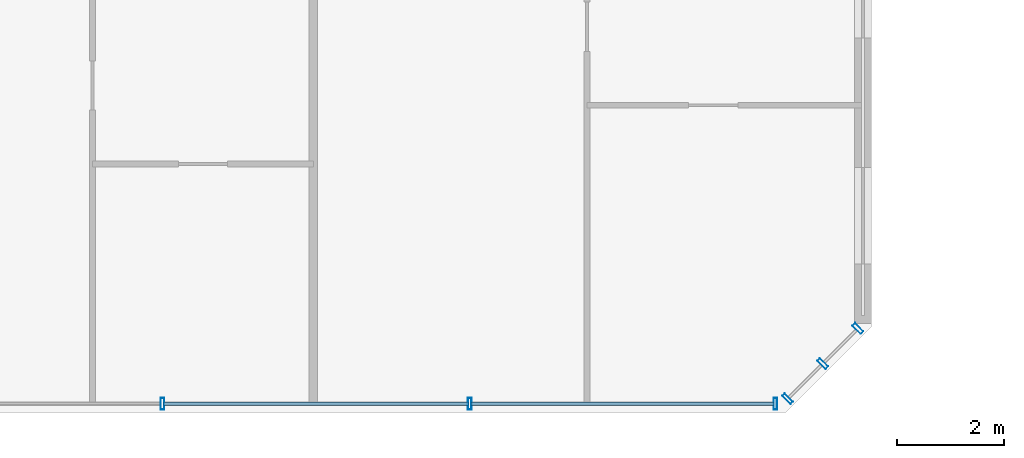
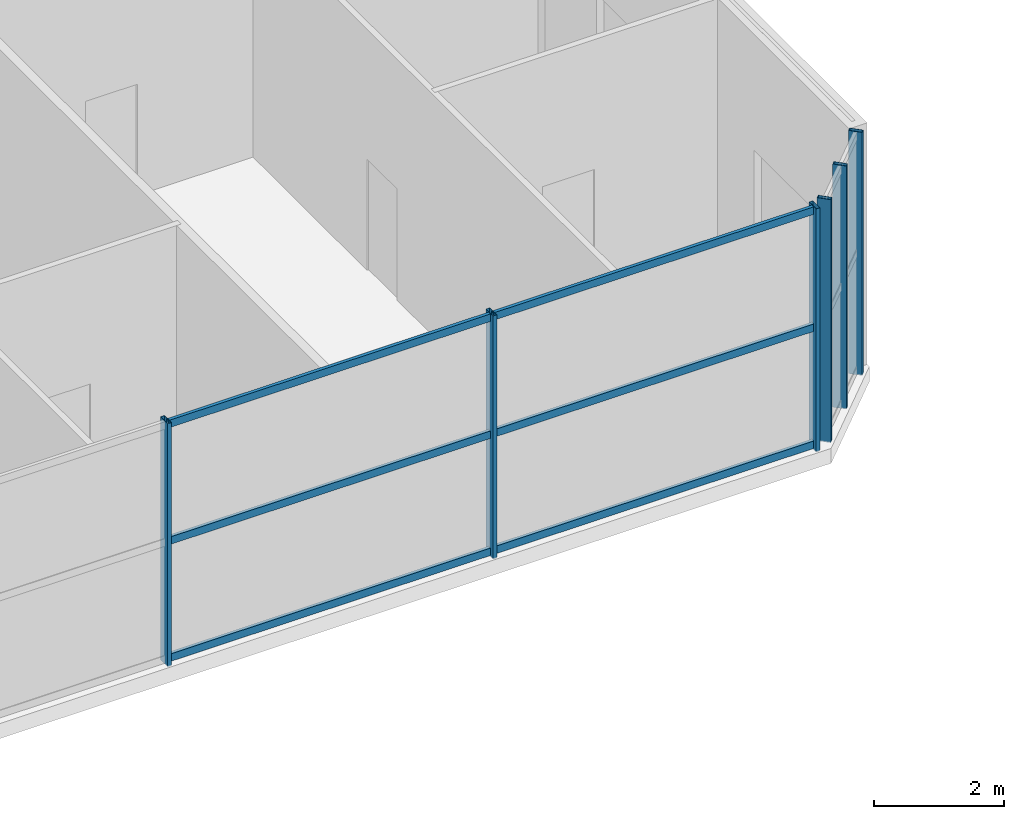
# One storey, part 7 of 22: 12 members, 2 elements without a shape of their own.
"""IFC4 building model written with IfcOpenShell, lengths in metres."""

from ifc_helpers import new_model, si_unit, direction, frame, origin, origin_2d, place, context, subcontext, project, spatial, hollow_rectangle, extrude, source, transform, mapped, material, material_profile, profile_set, type_object, element, aggregate, save


model = new_model("IFC4")

# Units and contexts
model_context = context("Model", 3, precision=1e-05, world=origin(), true_north=direction((0.0, 1.0)))
body_context = subcontext(model_context, "Body", "Model", "MODEL_VIEW")
ifc_project = project(units=[si_unit("LENGTHUNIT", "METRE"), si_unit("AREAUNIT", "SQUARE_METRE"), si_unit("VOLUMEUNIT", "CUBIC_METRE"), si_unit("PLANEANGLEUNIT", "RADIAN"), si_unit("MASSUNIT", "GRAM", prefix="KILO")], contexts=[model_context])

# Site, building, storey
site_placement = place(None, origin())
site = spatial("IfcSite", under=ifc_project, at=site_placement, CompositionType="ELEMENT")
building_placement = place(site_placement, origin())
building = spatial("IfcBuilding", under=site, at=building_placement, Name="Tlacorven Tower", CompositionType="ELEMENT")
storey_placement = place(building_placement, frame((0.0, 0.0, 71.699951171875)))
storey = spatial("IfcBuildingStorey", under=building, at=storey_placement, Name="L18", CompositionType="ELEMENT", Elevation=71.699951171875)

# Curtain wall, members
ifc_material_1 = material(Name="Dark solar low-E double glazing in aluminium frame", Category="aluminium")
curtain_wall_type = type_object("IfcCurtainWallType", Name="CW-TWR-LOW", PredefinedType="USERDEFINED", material=ifc_material_1)
curtain_wall_1_placement = place(storey_placement, origin())
curtain_wall_1 = element("IfcCurtainWall", 1, at=curtain_wall_1_placement, inside=storey, type_object=curtain_wall_type, Name="L18 CW-TWR-LOW Curtain Wall 100", ObjectType="UNITISED CURTAIN WALL", PredefinedType="USERDEFINED")
ifc_material_2 = material(Name="Aluminium 6063-T6 anodised", Category="aluminium")
ifc_material_profile_1 = material_profile(ifc_material_2, hollow_rectangle(XDim=0.06005859375, YDim=0.139892578125, WallThickness=0.00390625, at=origin_2d()), Name="ALU TRANSOM 60X140")
ifc_profile_set_1 = profile_set([ifc_material_profile_1], Name="Aluminium 6063-T6 anodised")
member_type_1 = type_object("IfcMemberType", Name="CWT-02", PredefinedType="USERDEFINED", material=ifc_profile_set_1)
shared_shape_1 = source(origin(), body_context, "Body", "SweptSolid", [
    extrude(hollow_rectangle(XDim=0.06005859375, YDim=0.139892578125, WallThickness=0.00390625, at=origin_2d()), origin(), (0.0, 0.0, 1.0), 5.6748046875),
])
member_1_placement = place(storey_placement, frame((50.57568359375, 1.9599609375, 0.070068359375), z_axis=(-1.0, 0.0, 0.0), x_axis=(0.0, -1.0, 0.0)))
member_1 = element("IfcMember", 2, at=member_1_placement, type_object=member_type_1, Name="CW-L18-100 Transom 1", ObjectType="TRANSOM", PredefinedType="USERDEFINED", context=body_context, shape_type="MappedRepresentation", body=[
    mapped(shared_shape_1, transform((0.0, 0.0, 0.0), scale=1.0)),
])
member_2_placement = place(storey_placement, frame((50.57568359375, 1.9599609375, 2.260009765625), z_axis=(-1.0, 0.0, 0.0), x_axis=(0.0, -1.0, 0.0)))
member_2 = element("IfcMember", 3, at=member_2_placement, type_object=member_type_1, Name="CW-L18-100 Transom 2", ObjectType="TRANSOM", PredefinedType="USERDEFINED", context=body_context, shape_type="MappedRepresentation", body=[
    mapped(shared_shape_1, transform((0.0, 0.0, 0.0), scale=1.0)),
])
member_3_placement = place(storey_placement, frame((50.57568359375, 1.9599609375, 4.449951171875), z_axis=(-1.0, 0.0, 0.0), x_axis=(0.0, -1.0, 0.0)))
member_3 = element("IfcMember", 4, at=member_3_placement, type_object=member_type_1, Name="CW-L18-100 Transom 3", ObjectType="TRANSOM", PredefinedType="USERDEFINED", context=body_context, shape_type="MappedRepresentation", body=[
    mapped(shared_shape_1, transform((0.0, 0.0, 0.0), scale=1.0)),
])
shared_shape_2 = source(origin(), body_context, "Body", "SweptSolid", [
    extrude(hollow_rectangle(XDim=0.06005859375, YDim=0.139892578125, WallThickness=0.00390625, at=origin_2d()), origin(), (0.0, 0.0, 1.0), 5.7099609375),
])
member_4_placement = place(storey_placement, frame((44.85498046875, 1.9599609375, 0.070068359375), z_axis=(-1.0, 0.0, 0.0), x_axis=(0.0, -1.0, 0.0)))
member_4 = element("IfcMember", 5, at=member_4_placement, type_object=member_type_1, Name="CW-L18-100 Transom 4", ObjectType="TRANSOM", PredefinedType="USERDEFINED", context=body_context, shape_type="MappedRepresentation", body=[
    mapped(shared_shape_2, transform((0.0, 0.0, 0.0), scale=1.0)),
])
member_5_placement = place(storey_placement, frame((44.85498046875, 1.9599609375, 2.260009765625), z_axis=(-1.0, 0.0, 0.0), x_axis=(0.0, -1.0, 0.0)))
member_5 = element("IfcMember", 6, at=member_5_placement, type_object=member_type_1, Name="CW-L18-100 Transom 5", ObjectType="TRANSOM", PredefinedType="USERDEFINED", context=body_context, shape_type="MappedRepresentation", body=[
    mapped(shared_shape_2, transform((0.0, 0.0, 0.0), scale=1.0)),
])
member_6_placement = place(storey_placement, frame((44.85498046875, 1.9599609375, 4.449951171875), z_axis=(-1.0, 0.0, 0.0), x_axis=(0.0, -1.0, 0.0)))
member_6 = element("IfcMember", 7, at=member_6_placement, type_object=member_type_1, Name="CW-L18-100 Transom 6", ObjectType="TRANSOM", PredefinedType="USERDEFINED", context=body_context, shape_type="MappedRepresentation", body=[
    mapped(shared_shape_2, transform((0.0, 0.0, 0.0), scale=1.0)),
])

curtain_wall_2_placement = place(storey_placement, origin())
curtain_wall_2 = element("IfcCurtainWall", 8, at=curtain_wall_2_placement, inside=storey, type_object=curtain_wall_type, Name="L18 CW-TWR-LOW Curtain Wall 99", ObjectType="UNITISED CURTAIN WALL", PredefinedType="USERDEFINED")
ifc_material_profile_2 = material_profile(ifc_material_2, hollow_rectangle(XDim=0.070068359375, YDim=0.219970703125, WallThickness=0.0048828125, at=origin_2d()), Name="ALU MULLION 70X220")
ifc_profile_set_2 = profile_set([ifc_material_profile_2], Name="Aluminium 6063-T6 anodised")
member_type_2 = type_object("IfcMemberType", Name="CWM-01", PredefinedType="MULLION", material=ifc_profile_set_2)
shared_shape_3 = source(origin(), body_context, "Body", "SweptSolid", [
    extrude(hollow_rectangle(XDim=0.070068359375, YDim=0.219970703125, WallThickness=0.0048828125, at=origin_2d()), origin(), (0.0, 0.0, 1.0), 4.550048828125),
])
member_7_placement = place(storey_placement, frame((52.14453125, 3.370849609375, -0.02001953125), z_axis=(0.0, 0.0, 1.0), x_axis=(-0.707106781187, -0.707106781187, 0.0)))
member_7 = element("IfcMember", 9, at=member_7_placement, type_object=member_type_2, Name="CW-L18-099 Mullion 1", PredefinedType="MULLION", context=body_context, shape_type="MappedRepresentation", body=[
    mapped(shared_shape_3, transform((0.0, 0.0, 0.0), scale=1.0)),
])
member_8_placement = place(storey_placement, frame((51.48681640625, 2.713134765625, -0.02001953125), z_axis=(0.0, 0.0, 1.0), x_axis=(-0.707106781187, -0.707106781187, 0.0)))
member_8 = element("IfcMember", 10, at=member_8_placement, type_object=member_type_2, Name="CW-L18-099 Mullion 2", PredefinedType="MULLION", context=body_context, shape_type="MappedRepresentation", body=[
    mapped(shared_shape_3, transform((0.0, 0.0, 0.0), scale=1.0)),
])
member_9_placement = place(storey_placement, frame((50.8291015625, 2.055419921875, -0.02001953125), z_axis=(0.0, 0.0, 1.0), x_axis=(-0.707106781187, -0.707106781187, 0.0)))
member_9 = element("IfcMember", 11, at=member_9_placement, type_object=member_type_2, Name="CW-L18-099 Mullion 3", PredefinedType="MULLION", context=body_context, shape_type="MappedRepresentation", body=[
    mapped(shared_shape_3, transform((0.0, 0.0, 0.0), scale=1.0)),
])
aggregate(curtain_wall_2, [member_7, member_8, member_9])

# Member
member_10_placement = place(storey_placement, frame((50.5986328125, 1.9599609375, -0.02001953125), z_axis=(0.0, 0.0, 1.0), x_axis=(-1.0, 0.0, 0.0)))
member_10 = element("IfcMember", 12, at=member_10_placement, type_object=member_type_2, Name="CW-L18-100 Mullion 1", PredefinedType="MULLION", context=body_context, shape_type="MappedRepresentation", body=[
    mapped(shared_shape_3, transform((0.0, 0.0, 0.0), scale=1.0)),
])

member_11_placement = place(storey_placement, frame((44.8779296875, 1.9599609375, -0.02001953125), z_axis=(0.0, 0.0, 1.0), x_axis=(-1.0, 0.0, 0.0)))
member_11 = element("IfcMember", 13, at=member_11_placement, type_object=member_type_2, Name="CW-L18-100 Mullion 2", PredefinedType="MULLION", context=body_context, shape_type="MappedRepresentation", body=[
    mapped(shared_shape_3, transform((0.0, 0.0, 0.0), scale=1.0)),
])

member_12_placement = place(storey_placement, frame((39.1220703125, 1.9599609375, -0.02001953125), z_axis=(0.0, 0.0, 1.0), x_axis=(-1.0, 0.0, 0.0)))
member_12 = element("IfcMember", 14, at=member_12_placement, type_object=member_type_2, Name="CW-L18-100 Mullion 3", PredefinedType="MULLION", context=body_context, shape_type="MappedRepresentation", body=[
    mapped(shared_shape_3, transform((0.0, 0.0, 0.0), scale=1.0)),
])

aggregate(curtain_wall_1, [member_10, member_11, member_12, member_1, member_2, member_3, member_4, member_5, member_6])

save(model, "model.ifc")
